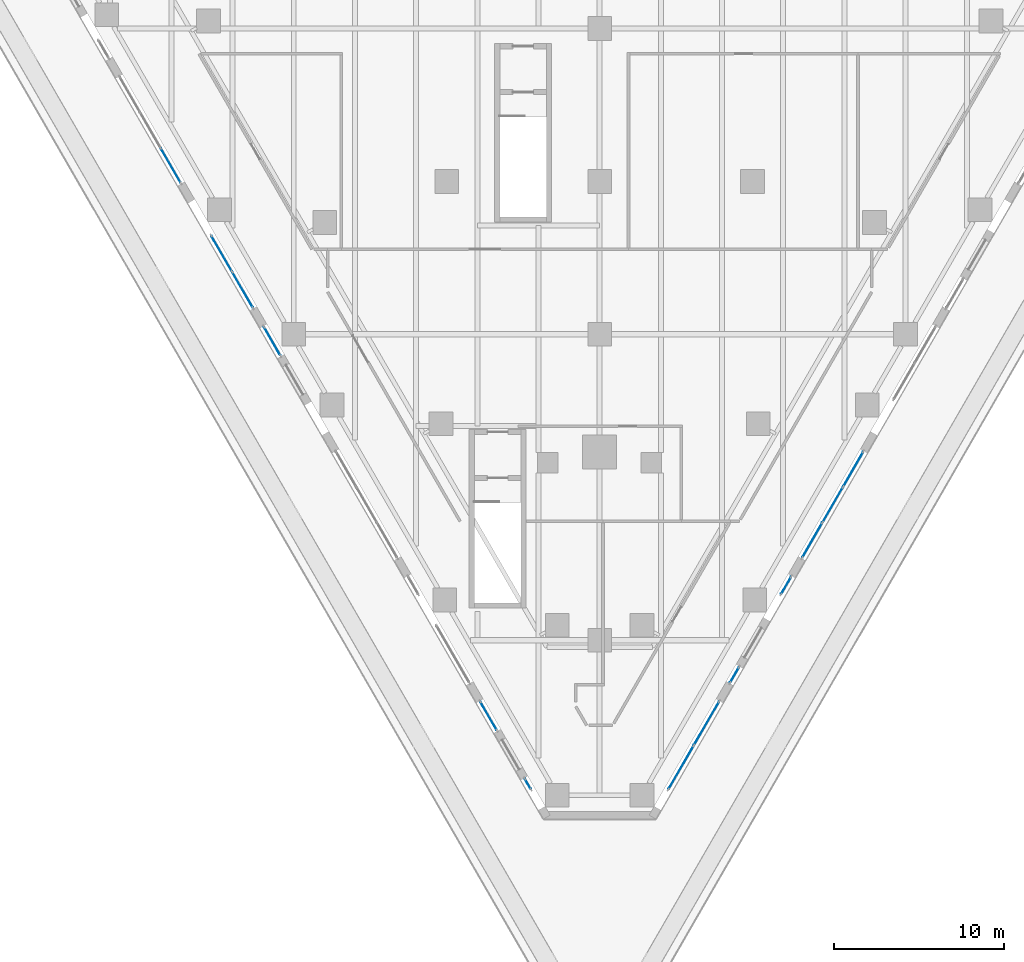
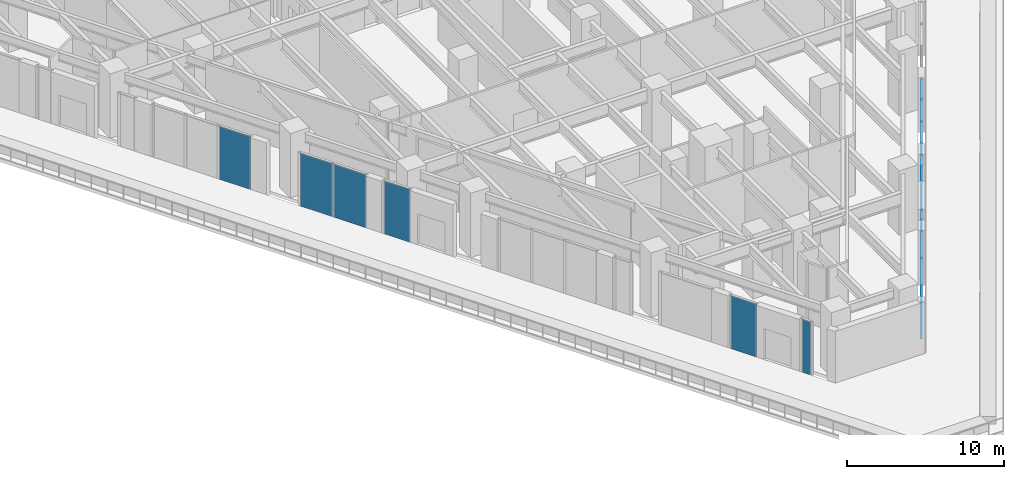
# One storey, part 16 of 31: 13 plates, 9 elements without a shape of their own.
"""IFC4 building model written with IfcOpenShell, lengths in metres."""

from ifc_helpers import new_model, si_unit, direction, frame, origin, origin_2d, place, context, subcontext, project, spatial, rectangle, extrude, material, layer, layer_set, type_object, element, aggregate, save


model = new_model("IFC4")

# Units and contexts
model_context = context("Model", 3, precision=1e-05, world=origin(), true_north=direction((0.0, 1.0)))
body_context = subcontext(model_context, "Body", "Model", "MODEL_VIEW")
ifc_project = project(units=[si_unit("LENGTHUNIT", "METRE"), si_unit("AREAUNIT", "SQUARE_METRE"), si_unit("VOLUMEUNIT", "CUBIC_METRE"), si_unit("PLANEANGLEUNIT", "RADIAN"), si_unit("MASSUNIT", "GRAM", prefix="KILO")], contexts=[model_context])

# Site, building, storey
site_placement = place(None, origin())
site = spatial("IfcSite", under=ifc_project, at=site_placement, CompositionType="ELEMENT")
building_placement = place(site_placement, origin())
building = spatial("IfcBuilding", under=site, at=building_placement, Name="Aloe Facet Convention Tower", CompositionType="ELEMENT")
storey_placement = place(building_placement, frame((0.0, 0.0, 25.0)))
storey = spatial("IfcBuildingStorey", under=building, at=storey_placement, Name="L04", CompositionType="ELEMENT", Elevation=25.0)

# Curtain wall, plate
ifc_material_1 = material(Name="Aluminium, anodised", Category="aluminium")
curtain_wall_type = type_object("IfcCurtainWallType", Name="EV-CW-HALL", PredefinedType="USERDEFINED", material=ifc_material_1)
curtain_wall_1_placement = place(storey_placement, origin())
curtain_wall_1 = element("IfcCurtainWall", 1, at=curtain_wall_1_placement, inside=storey, type_object=curtain_wall_type, Name="CW-L04-W06", ObjectType="UNITISED HALL GLAZING", PredefinedType="USERDEFINED")
ifc_material_2 = material(Name="Clear double glazing", Category="glass")
ifc_layer = layer(ifc_material_2, 0.035888671875)
ifc_layer_set = layer_set([ifc_layer], Name="EV-PANEL-HALL")
plate_type = type_object("IfcPlateType", Name="EV-PANEL-HALL", PredefinedType="CURTAIN_PANEL", material=ifc_layer_set)
plate_1_placement = place(storey_placement, frame((54.7626953125, 108.932861328125, -0.18505859375), z_axis=(0.0, 0.0, 1.0), x_axis=(0.500000000045, -0.866025403758, 0.0)))
plate_1 = element("IfcPlate", 2, at=plate_1_placement, type_object=plate_type, Name="CW-L04-W06 panel 3.1", PredefinedType="CURTAIN_PANEL", context=body_context, shape_type="SweptSolid", body=[
    extrude(rectangle(XDim=2.331298828125, YDim=0.035888671875, at=origin_2d()), origin(), (0.0, 0.0, 1.0), 4.132568359375),
])
aggregate(curtain_wall_1, [plate_1])

# Curtain wall, plates
curtain_wall_2_placement = place(storey_placement, origin())
curtain_wall_2 = element("IfcCurtainWall", 3, at=curtain_wall_2_placement, inside=storey, type_object=curtain_wall_type, Name="CW-L04-W08", ObjectType="UNITISED HALL GLAZING", PredefinedType="USERDEFINED")
plate_2_placement = place(storey_placement, frame((57.753173828125, 103.7529296875, -0.18505859375), z_axis=(0.0, 0.0, 1.0), x_axis=(0.50000000003, -0.866025403767, 0.0)))
plate_2 = element("IfcPlate", 4, at=plate_2_placement, type_object=plate_type, Name="CW-L04-W08 panel 1.1", PredefinedType="CURTAIN_PANEL", context=body_context, shape_type="SweptSolid", body=[
    extrude(rectangle(XDim=2.404052734375, YDim=0.035888671875, at=origin_2d()), origin(), (0.0, 0.0, 1.0), 4.132568359375),
])
plate_3_placement = place(storey_placement, frame((58.98779296875, 101.61474609375, -0.18505859375), z_axis=(0.0, 0.0, 1.0), x_axis=(0.50000000003, -0.866025403767, 0.0)))
plate_3 = element("IfcPlate", 5, at=plate_3_placement, type_object=plate_type, Name="CW-L04-W08 panel 2.1", PredefinedType="CURTAIN_PANEL", context=body_context, shape_type="SweptSolid", body=[
    extrude(rectangle(XDim=2.404052734375, YDim=0.035888671875, at=origin_2d()), origin(), (0.0, 0.0, 1.0), 4.132568359375),
])
aggregate(curtain_wall_2, [plate_2, plate_3])

# Curtain wall, plate
curtain_wall_3_placement = place(storey_placement, origin())
curtain_wall_3 = element("IfcCurtainWall", 6, at=curtain_wall_3_placement, inside=storey, type_object=curtain_wall_type, Name="CW-L04-W10A", ObjectType="UNITISED HALL GLAZING", PredefinedType="USERDEFINED")
plate_4_placement = place(storey_placement, frame((60.732177734375, 98.59326171875, -0.18505859375), z_axis=(0.0, 0.0, 1.0), x_axis=(0.499999999879, -0.866025403854, 0.0)))
plate_4 = element("IfcPlate", 7, at=plate_4_placement, type_object=plate_type, Name="CW-L04-W10A panel 1.1", PredefinedType="CURTAIN_PANEL", context=body_context, shape_type="SweptSolid", body=[
    extrude(rectangle(XDim=1.913330078125, YDim=0.035888671875, at=origin_2d()), origin(), (0.0, 0.0, 1.0), 4.132568359375),
])
aggregate(curtain_wall_3, [plate_4])

curtain_wall_4_placement = place(storey_placement, origin())
curtain_wall_4 = element("IfcCurtainWall", 8, at=curtain_wall_4_placement, inside=storey, type_object=curtain_wall_type, Name="CW-L04-W16A", ObjectType="UNITISED HALL GLAZING", PredefinedType="USERDEFINED")
plate_5_placement = place(storey_placement, frame((73.46240234375, 76.544189453125, -0.18505859375), z_axis=(0.0, 0.0, 1.0), x_axis=(0.499999999879, -0.866025403854, 0.0)))
plate_5 = element("IfcPlate", 9, at=plate_5_placement, type_object=plate_type, Name="CW-L04-W16A panel 1.1", PredefinedType="CURTAIN_PANEL", context=body_context, shape_type="SweptSolid", body=[
    extrude(rectangle(XDim=1.913330078125, YDim=0.035888671875, at=origin_2d()), origin(), (0.0, 0.0, 1.0), 4.132568359375),
])
aggregate(curtain_wall_4, [plate_5])

curtain_wall_5_placement = place(storey_placement, origin())
curtain_wall_5 = element("IfcCurtainWall", 10, at=curtain_wall_5_placement, inside=storey, type_object=curtain_wall_type, Name="CW-L04-W16B", ObjectType="UNITISED HALL GLAZING", PredefinedType="USERDEFINED")
plate_6_placement = place(storey_placement, frame((75.77587890625, 72.537109375, -0.18505859375), z_axis=(0.0, 0.0, 1.0), x_axis=(0.500000000695, -0.866025403383, 0.0)))
plate_6 = element("IfcPlate", 11, at=plate_6_placement, type_object=plate_type, Name="CW-L04-W16B panel 1.1", PredefinedType="CURTAIN_PANEL", context=body_context, shape_type="SweptSolid", body=[
    extrude(rectangle(XDim=0.6806640625, YDim=0.035888671875, at=origin_2d()), origin(), (0.0, 0.0, 1.0), 4.132568359375),
])
aggregate(curtain_wall_5, [plate_6])

# Curtain wall, plates
curtain_wall_6_placement = place(storey_placement, origin())
curtain_wall_6 = element("IfcCurtainWall", 12, at=curtain_wall_6_placement, inside=storey, type_object=curtain_wall_type, Name="CW-L04-E02", ObjectType="UNITISED HALL GLAZING", PredefinedType="USERDEFINED")
plate_7_placement = place(storey_placement, frame((84.786376953125, 73.5107421875, -0.18505859375), z_axis=(0.0, 0.0, 1.0), x_axis=(0.50000000006, 0.86602540375, 0.0)))
plate_7 = element("IfcPlate", 13, at=plate_7_placement, type_object=plate_type, Name="CW-L04-E02 panel 1.1", PredefinedType="CURTAIN_PANEL", context=body_context, shape_type="SweptSolid", body=[
    extrude(rectangle(XDim=2.929443359375, YDim=0.035888671875, at=origin_2d()), origin(), (0.0, 0.0, 1.0), 4.132568359375),
])
plate_8_placement = place(storey_placement, frame((86.28369140625, 76.10400390625, -0.18505859375), z_axis=(0.0, 0.0, 1.0), x_axis=(0.50000000006, 0.86602540375, 0.0)))
plate_8 = element("IfcPlate", 14, at=plate_8_placement, type_object=plate_type, Name="CW-L04-E02 panel 2.1", PredefinedType="CURTAIN_PANEL", context=body_context, shape_type="SweptSolid", body=[
    extrude(rectangle(XDim=2.929443359375, YDim=0.035888671875, at=origin_2d()), origin(), (0.0, 0.0, 1.0), 4.132568359375),
])
aggregate(curtain_wall_6, [plate_7, plate_8])

# Curtain wall, plate
curtain_wall_7_placement = place(storey_placement, origin())
curtain_wall_7 = element("IfcCurtainWall", 15, at=curtain_wall_7_placement, inside=storey, type_object=curtain_wall_type, Name="CW-L04-E04A", ObjectType="UNITISED HALL GLAZING", PredefinedType="USERDEFINED")
plate_9_placement = place(storey_placement, frame((87.934326171875, 78.963134765625, -0.18505859375), z_axis=(0.0, 0.0, 1.0), x_axis=(0.500000000287, 0.866025403619, 0.0)))
plate_9 = element("IfcPlate", 16, at=plate_9_placement, type_object=plate_type, Name="CW-L04-E04A panel 1.1", PredefinedType="CURTAIN_PANEL", context=body_context, shape_type="SweptSolid", body=[
    extrude(rectangle(XDim=1.013427734375, YDim=0.035888671875, at=origin_2d()), origin(), (0.0, 0.0, 1.0), 4.132568359375),
])
aggregate(curtain_wall_7, [plate_9])

curtain_wall_8_placement = place(storey_placement, origin())
curtain_wall_8 = element("IfcCurtainWall", 17, at=curtain_wall_8_placement, inside=storey, type_object=curtain_wall_type, Name="CW-L04-E04B", ObjectType="UNITISED HALL GLAZING", PredefinedType="USERDEFINED")
plate_10_placement = place(storey_placement, frame((90.970458984375, 84.22216796875, -0.18505859375), z_axis=(0.0, 0.0, 1.0), x_axis=(0.499999999728, 0.866025403942, 0.0)))
plate_10 = element("IfcPlate", 18, at=plate_10_placement, type_object=plate_type, Name="CW-L04-E04B panel 1.1", PredefinedType="CURTAIN_PANEL", context=body_context, shape_type="SweptSolid", body=[
    extrude(rectangle(XDim=1.1552734375, YDim=0.035888671875, at=origin_2d()), origin(), (0.0, 0.0, 1.0), 4.132568359375),
])
aggregate(curtain_wall_8, [plate_10])

# Curtain wall, plates
curtain_wall_9_placement = place(storey_placement, origin())
curtain_wall_9 = element("IfcCurtainWall", 19, at=curtain_wall_9_placement, inside=storey, type_object=curtain_wall_type, Name="CW-L04-E06", ObjectType="UNITISED HALL GLAZING", PredefinedType="USERDEFINED")
plate_11_placement = place(storey_placement, frame((92.50732421875, 86.8837890625, -0.18505859375), z_axis=(0.0, 0.0, 1.0), x_axis=(0.499999999985, 0.866025403793, 0.0)))
plate_11 = element("IfcPlate", 20, at=plate_11_placement, type_object=plate_type, Name="CW-L04-E06 panel 1.1", PredefinedType="CURTAIN_PANEL", context=body_context, shape_type="SweptSolid", body=[
    extrude(rectangle(XDim=2.331298828125, YDim=0.035888671875, at=origin_2d()), origin(), (0.0, 0.0, 1.0), 4.132568359375),
])
plate_12_placement = place(storey_placement, frame((93.713623046875, 88.97314453125, -0.18505859375), z_axis=(0.0, 0.0, 1.0), x_axis=(0.499999999985, 0.866025403793, 0.0)))
plate_12 = element("IfcPlate", 21, at=plate_12_placement, type_object=plate_type, Name="CW-L04-E06 panel 2.1", PredefinedType="CURTAIN_PANEL", context=body_context, shape_type="SweptSolid", body=[
    extrude(rectangle(XDim=2.364013671875, YDim=0.035888671875, at=origin_2d()), origin(), (0.0, 0.0, 1.0), 4.132568359375),
])
plate_13_placement = place(storey_placement, frame((94.919921875, 91.0625, -0.18505859375), z_axis=(0.0, 0.0, 1.0), x_axis=(0.499999999985, 0.866025403793, 0.0)))
plate_13 = element("IfcPlate", 22, at=plate_13_placement, type_object=plate_type, Name="CW-L04-E06 panel 3.1", PredefinedType="CURTAIN_PANEL", context=body_context, shape_type="SweptSolid", body=[
    extrude(rectangle(XDim=2.331298828125, YDim=0.035888671875, at=origin_2d()), origin(), (0.0, 0.0, 1.0), 4.132568359375),
])
aggregate(curtain_wall_9, [plate_11, plate_12, plate_13])

save(model, "model.ifc")
